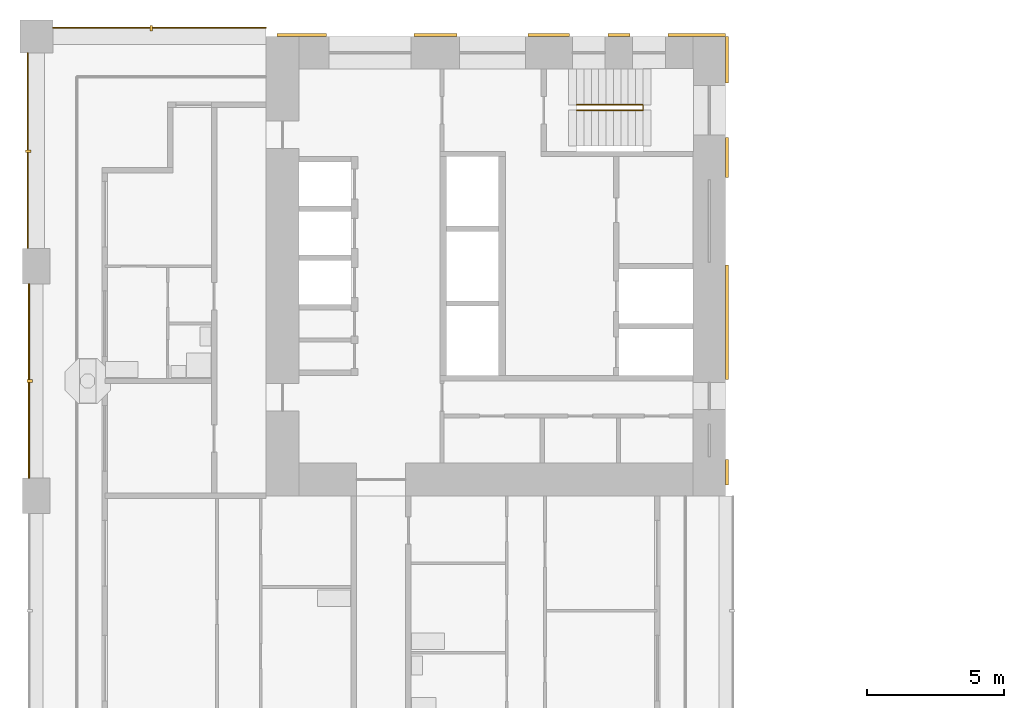
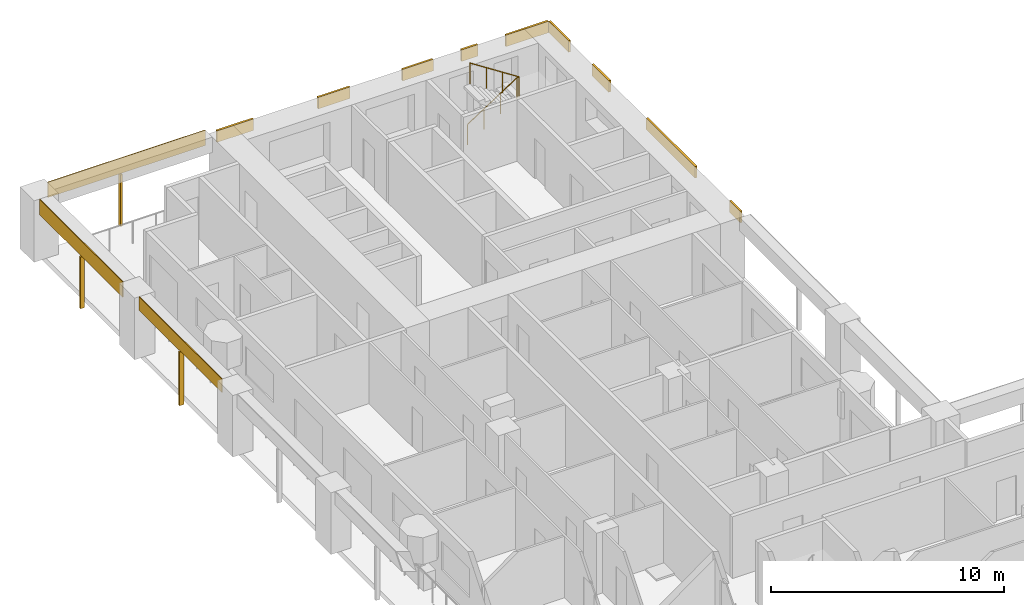
# One storey, part 14 of 18: 15 shading devices, 1 railing.
"""IFC4 building model written with IfcOpenShell, lengths in metres."""

from ifc_helpers import new_model, si_unit, direction, frame, origin, origin_2d, place, context, subcontext, project, spatial, rectangle, circle, extrude, material, layer, layer_set, material_profile, profile_set, type_object, element, save


model = new_model("IFC4")

# Units and contexts
model_context = context("Model", 3, precision=1e-05, world=origin(), true_north=direction((0.0, 1.0)))
body_context = subcontext(model_context, "Body", "Model", "MODEL_VIEW")
ifc_project = project(units=[si_unit("LENGTHUNIT", "METRE"), si_unit("AREAUNIT", "SQUARE_METRE"), si_unit("VOLUMEUNIT", "CUBIC_METRE"), si_unit("PLANEANGLEUNIT", "RADIAN"), si_unit("MASSUNIT", "GRAM", prefix="KILO")], contexts=[model_context])

# Site, building, storey
site_placement = place(None, origin())
site = spatial("IfcSite", under=ifc_project, at=site_placement, CompositionType="ELEMENT")
building_placement = place(site_placement, origin())
building = spatial("IfcBuilding", under=site, at=building_placement, Name="Vermilion Gate Residences", CompositionType="ELEMENT")
storey_placement = place(building_placement, frame((0.0, 0.0, 84.699951171875)))
storey = spatial("IfcBuildingStorey", under=building, at=storey_placement, Name="L20", CompositionType="ELEMENT", Elevation=84.699951171875)

# Shading devices
ifc_material_1 = material(Name="Perforated terracotta", Category="masonry")
ifc_layer_1 = layer(ifc_material_1, 0.0400390625)
ifc_layer_set_1 = layer_set([ifc_layer_1], Name="PERFORATED TERRACOTTA SCREEN 40")
shading_device_type_1 = type_object("IfcShadingDeviceType", Name="PERFORATED TERRACOTTA SCREEN 40", PredefinedType="SHUTTER", material=ifc_layer_set_1)
shading_device_1_placement = place(storey_placement, frame((4.5, 59.1201171875, 2.419921875), z_axis=(0.0, 0.0, 1.0), x_axis=(-1.0, 0.0, 0.0)))
element("IfcShadingDevice", 1, at=shading_device_1_placement, inside=storey, type_object=shading_device_type_1, Name="SCREEN", PredefinedType="SHUTTER", context=body_context, shape_type="SweptSolid", body=[
    extrude(rectangle(XDim=7.800048828125, YDim=0.0400390625, at=origin_2d()), origin(), (0.0, 0.0, 1.0), 0.800048828125),
])
shading_device_2_placement = place(storey_placement, frame((-0.27001953125, 46.199951171875, 2.52001953125), z_axis=(0.0, 0.0, 1.0), x_axis=(0.0, -1.0, 0.0)))
element("IfcShadingDevice", 2, at=shading_device_2_placement, inside=storey, type_object=shading_device_type_1, Name="SCREEN", PredefinedType="SHUTTER", context=body_context, shape_type="SweptSolid", body=[
    extrude(rectangle(XDim=7.10009765625, YDim=0.0400390625, at=origin_2d()), origin(), (0.0, 0.0, 1.0), 0.699951171875),
])
shading_device_3_placement = place(storey_placement, frame((-0.320068359375, 54.625, 2.419921875), z_axis=(0.0, 0.0, 1.0), x_axis=(0.0, -1.0, 0.0)))
element("IfcShadingDevice", 3, at=shading_device_3_placement, inside=storey, type_object=shading_device_type_1, Name="SCREEN", PredefinedType="SHUTTER", context=body_context, shape_type="SweptSolid", body=[
    extrude(rectangle(XDim=7.14990234375, YDim=0.0400390625, at=origin_2d()), origin(), (0.0, 0.0, 1.0), 0.800048828125),
])

# Railing
ifc_material_2 = material(Name="Steel S355", Category="steel")
railing_type = type_object("IfcRailingType", Name="STAIR GUARD 1100 STEEL", PredefinedType="GUARDRAIL", material=ifc_material_2)
railing_placement = place(storey_placement, frame((19.75, 56.300048828125, 0.175048828125)))
element("IfcRailing", 4, at=railing_placement, inside=storey, type_object=railing_type, Name="Stair well guard STB1-20", PredefinedType="GUARDRAIL", context=body_context, shape_type="SweptSolid", body=[
    extrude(circle(Radius=0.02392578125, at=origin_2d()), frame((0.0, 0.0, 1.076171875), z_axis=(0.839153699163, 0.0, 0.543894354798), x_axis=(0.0, 1.0, 0.0)), (0.0, 0.0, 1.0), 2.895751953125),
    extrude(circle(Radius=0.02392578125, at=origin_2d()), frame((2.429931640625, 0.0, 2.65087890625), z_axis=(0.0, -0.752405939678, 0.658699705433), x_axis=(1.0, 0.0, 0.0)), (0.0, 0.0, 1.0), 0.265869140625),
    extrude(circle(Radius=0.02392578125, at=origin_2d()), frame((2.429931640625, -0.199951171875, 2.826171875), z_axis=(-0.839153699163, 0.0, 0.543894354798), x_axis=(0.0, -1.0, 0.0)), (0.0, 0.0, 1.0), 2.895751953125),
    extrude(circle(Radius=0.02099609375, at=origin_2d()), origin(), (0.0, 0.0, 1.0), 1.052001953125),
    extrude(circle(Radius=0.02099609375, at=origin_2d()), frame((0.81005859375, 0.0, 0.52490234375)), (0.0, 0.0, 1.0), 1.052001953125),
    extrude(circle(Radius=0.02099609375, at=origin_2d()), frame((1.619873046875, 0.0, 1.050048828125)), (0.0, 0.0, 1.0), 1.052001953125),
    extrude(circle(Radius=0.02099609375, at=origin_2d()), frame((2.429931640625, 0.0, 1.574951171875)), (0.0, 0.0, 1.0), 1.052001953125),
    extrude(circle(Radius=0.02099609375, at=origin_2d()), frame((2.429931640625, -0.199951171875, 1.75)), (0.0, 0.0, 1.0), 1.052001953125),
    extrude(circle(Radius=0.02099609375, at=origin_2d()), frame((1.619873046875, -0.199951171875, 2.27490234375)), (0.0, 0.0, 1.0), 1.052001953125),
    extrude(circle(Radius=0.02099609375, at=origin_2d()), frame((0.81005859375, -0.199951171875, 2.800048828125)), (0.0, 0.0, 1.0), 1.052001953125),
    extrude(circle(Radius=0.02099609375, at=origin_2d()), frame((0.0, -0.199951171875, 3.324951171875)), (0.0, 0.0, 1.0), 1.052001953125),
])

# Shading devices
ifc_material_3 = material(Name="Extruded terracotta", Category="masonry")
ifc_material_profile = material_profile(ifc_material_3, rectangle(XDim=0.199951171875, YDim=0.10009765625, at=origin_2d()), Name="BAGUETTE 100 X 200")
ifc_profile_set = profile_set([ifc_material_profile], Name="Extruded terracotta")
shading_device_type_2 = type_object("IfcShadingDeviceType", Name="TERRACOTTA BAGUETTE 100 X 200", PredefinedType="JALOUSIE", material=ifc_profile_set)
shading_device_4_placement = place(storey_placement, frame((4.199951171875, 59.10009765625, -0.280029296875), z_axis=(0.0, 0.0, 1.0), x_axis=(0.0, -1.0, 0.0)))
element("IfcShadingDevice", 5, at=shading_device_4_placement, inside=storey, type_object=shading_device_type_2, Name="BAGUETTE", PredefinedType="JALOUSIE", context=body_context, shape_type="SweptSolid", body=[
    extrude(rectangle(XDim=0.199951171875, YDim=0.10009765625, at=origin_2d()), origin(), (0.0, 0.0, 1.0), 2.7001953125),
])
shading_device_5_placement = place(storey_placement, frame((-0.25, 46.199951171875, -0.280029296875), z_axis=(0.0, 0.0, 1.0), x_axis=(1.0, 0.0, 0.0)))
element("IfcShadingDevice", 6, at=shading_device_5_placement, inside=storey, type_object=shading_device_type_2, Name="BAGUETTE", PredefinedType="JALOUSIE", context=body_context, shape_type="SweptSolid", body=[
    extrude(rectangle(XDim=0.199951171875, YDim=0.10009765625, at=origin_2d()), origin(), (0.0, 0.0, 1.0), 2.800048828125),
])
shading_device_6_placement = place(storey_placement, frame((-0.300048828125, 54.60009765625, -0.280029296875), z_axis=(0.0, 0.0, 1.0), x_axis=(1.0, 0.0, 0.0)))
element("IfcShadingDevice", 7, at=shading_device_6_placement, inside=storey, type_object=shading_device_type_2, Name="BAGUETTE", PredefinedType="JALOUSIE", context=body_context, shape_type="SweptSolid", body=[
    extrude(rectangle(XDim=0.199951171875, YDim=0.10009765625, at=origin_2d()), origin(), (0.0, 0.0, 1.0), 2.7001953125),
])
ifc_material_4 = material(Name="Extruded terracotta", Category="masonry")
ifc_layer_2 = layer(ifc_material_4, 0.10009765625)
ifc_layer_set_2 = layer_set([ifc_layer_2], Name="TERRACOTTA SPANDREL BAND 600 X 100")
shading_device_type_3 = type_object("IfcShadingDeviceType", Name="TERRACOTTA SPANDREL BAND 600 X 100", PredefinedType="USERDEFINED", material=ifc_layer_set_2)
shading_device_7_placement = place(storey_placement, frame((9.702392578125, 58.85009765625, 2.6201171875), z_axis=(0.0, 0.0, 1.0), x_axis=(1.0, 0.0, 0.0)))
element("IfcShadingDevice", 8, at=shading_device_7_placement, inside=storey, type_object=shading_device_type_3, Name="SPANDREL BAND", ObjectType="BAND", PredefinedType="USERDEFINED", context=body_context, shape_type="SweptSolid", body=[
    extrude(rectangle(XDim=1.804931640625, YDim=0.10009765625, at=origin_2d()), origin(), (0.0, 0.0, 1.0), 0.60009765625),
])
shading_device_8_placement = place(storey_placement, frame((14.590087890625, 58.85009765625, 2.6201171875), z_axis=(0.0, 0.0, 1.0), x_axis=(1.0, 0.0, 0.0)))
element("IfcShadingDevice", 9, at=shading_device_8_placement, inside=storey, type_object=shading_device_type_3, Name="SPANDREL BAND", ObjectType="BAND", PredefinedType="USERDEFINED", context=body_context, shape_type="SweptSolid", body=[
    extrude(rectangle(XDim=1.570068359375, YDim=0.10009765625, at=origin_2d()), origin(), (0.0, 0.0, 1.0), 0.60009765625),
])
shading_device_9_placement = place(storey_placement, frame((18.734130859375, 58.85009765625, 2.6201171875), z_axis=(0.0, 0.0, 1.0), x_axis=(1.0, 0.0, 0.0)))
element("IfcShadingDevice", 10, at=shading_device_9_placement, inside=storey, type_object=shading_device_type_3, Name="SPANDREL BAND", ObjectType="BAND", PredefinedType="USERDEFINED", context=body_context, shape_type="SweptSolid", body=[
    extrude(rectangle(XDim=1.518310546875, YDim=0.10009765625, at=origin_2d()), origin(), (0.0, 0.0, 1.0), 0.60009765625),
])
shading_device_10_placement = place(storey_placement, frame((21.294921875, 58.85009765625, 2.6201171875), z_axis=(0.0, 0.0, 1.0), x_axis=(1.0, 0.0, 0.0)))
element("IfcShadingDevice", 11, at=shading_device_10_placement, inside=storey, type_object=shading_device_type_3, Name="SPANDREL BAND", ObjectType="BAND", PredefinedType="USERDEFINED", context=body_context, shape_type="SweptSolid", body=[
    extrude(rectangle(XDim=0.803466796875, YDim=0.10009765625, at=origin_2d()), origin(), (0.0, 0.0, 1.0), 0.60009765625),
])
shading_device_11_placement = place(storey_placement, frame((24.1484375, 58.85009765625, 2.6201171875), z_axis=(0.0, 0.0, 1.0), x_axis=(1.0, 0.0, 0.0)))
element("IfcShadingDevice", 12, at=shading_device_11_placement, inside=storey, type_object=shading_device_type_3, Name="SPANDREL BAND", ObjectType="BAND", PredefinedType="USERDEFINED", context=body_context, shape_type="SweptSolid", body=[
    extrude(rectangle(XDim=2.103271484375, YDim=0.10009765625, at=origin_2d()), origin(), (0.0, 0.0, 1.0), 0.60009765625),
])
shading_device_12_placement = place(storey_placement, frame((25.25, 42.862548828125, 2.6201171875), z_axis=(0.0, 0.0, 1.0), x_axis=(0.0, 1.0, 0.0)))
element("IfcShadingDevice", 13, at=shading_device_12_placement, inside=storey, type_object=shading_device_type_3, Name="SPANDREL BAND", ObjectType="BAND", PredefinedType="USERDEFINED", context=body_context, shape_type="SweptSolid", body=[
    extrude(rectangle(XDim=0.925048828125, YDim=0.10009765625, at=origin_2d()), origin(), (0.0, 0.0, 1.0), 0.60009765625),
])
shading_device_13_placement = place(storey_placement, frame((25.25, 48.35009765625, 2.6201171875), z_axis=(0.0, 0.0, 1.0), x_axis=(0.0, 1.0, 0.0)))
element("IfcShadingDevice", 14, at=shading_device_13_placement, inside=storey, type_object=shading_device_type_3, Name="SPANDREL BAND", ObjectType="BAND", PredefinedType="USERDEFINED", context=body_context, shape_type="SweptSolid", body=[
    extrude(rectangle(XDim=4.199951171875, YDim=0.10009765625, at=origin_2d()), origin(), (0.0, 0.0, 1.0), 0.60009765625),
])
shading_device_14_placement = place(storey_placement, frame((25.25, 54.375, 2.6201171875), z_axis=(0.0, 0.0, 1.0), x_axis=(0.0, 1.0, 0.0)))
element("IfcShadingDevice", 15, at=shading_device_14_placement, inside=storey, type_object=shading_device_type_3, Name="SPANDREL BAND", ObjectType="BAND", PredefinedType="USERDEFINED", context=body_context, shape_type="SweptSolid", body=[
    extrude(rectangle(XDim=1.449951171875, YDim=0.10009765625, at=origin_2d()), origin(), (0.0, 0.0, 1.0), 0.60009765625),
])
shading_device_15_placement = place(storey_placement, frame((25.25, 57.949951171875, 2.6201171875), z_axis=(0.0, 0.0, 1.0), x_axis=(0.0, 1.0, 0.0)))
element("IfcShadingDevice", 16, at=shading_device_15_placement, inside=storey, type_object=shading_device_type_3, Name="SPANDREL BAND", ObjectType="BAND", PredefinedType="USERDEFINED", context=body_context, shape_type="SweptSolid", body=[
    extrude(rectangle(XDim=1.699951171875, YDim=0.10009765625, at=origin_2d()), origin(), (0.0, 0.0, 1.0), 0.60009765625),
])

save(model, "model.ifc")
